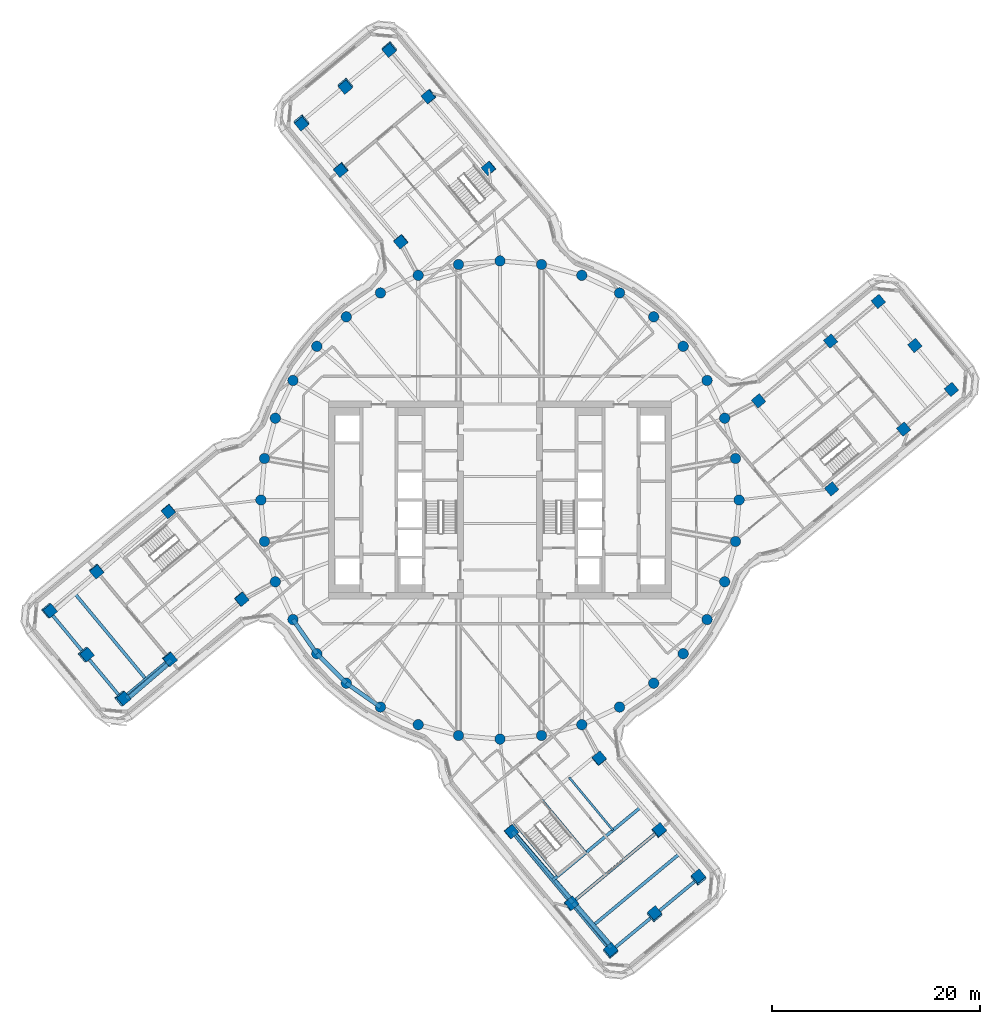
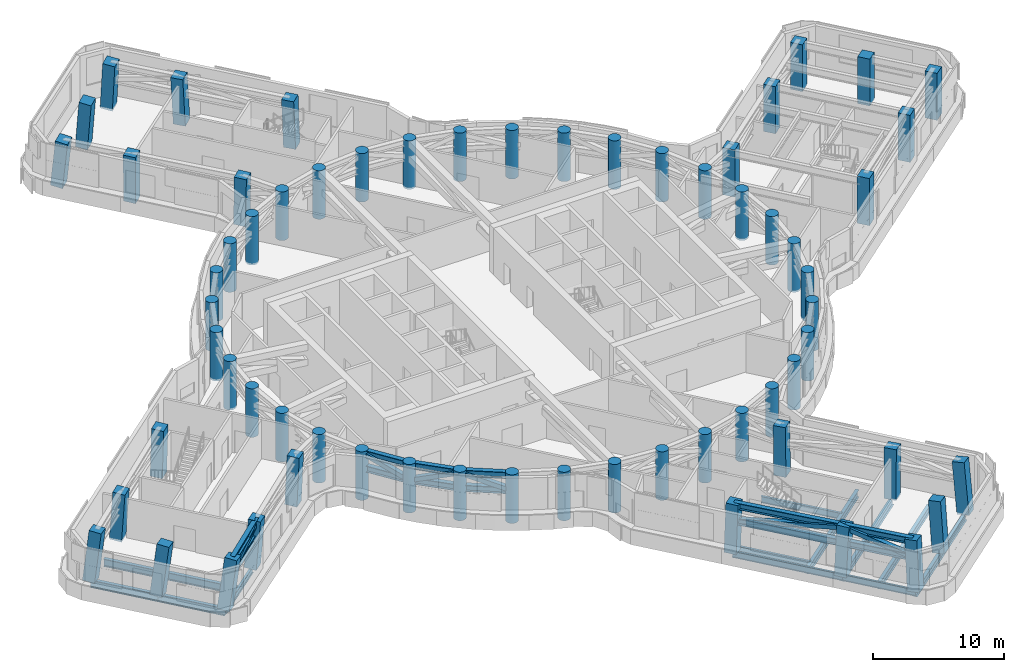
# One storey, part 1 of 22: 64 columns, 18 members, 14 beams.
"""IFC4 building model written with IfcOpenShell, lengths in metres."""

from ifc_helpers import new_model, si_unit, direction, frame, origin, origin_2d, place, context, subcontext, project, spatial, rectangle, hollow_rectangle, circle, i_section, extrude, material, material_profile, profile_set, type_object, element, save


model = new_model("IFC4")

# Units and contexts
model_context = context("Model", 3, precision=1e-05, world=origin(), true_north=direction((0.0, 1.0)))
body_context = subcontext(model_context, "Body", "Model", "MODEL_VIEW")
ifc_project = project(units=[si_unit("LENGTHUNIT", "METRE"), si_unit("AREAUNIT", "SQUARE_METRE"), si_unit("VOLUMEUNIT", "CUBIC_METRE"), si_unit("PLANEANGLEUNIT", "RADIAN"), si_unit("MASSUNIT", "GRAM", prefix="KILO")], contexts=[model_context])

# Site, building, storey
site_placement = place(None, origin())
site = spatial("IfcSite", under=ifc_project, at=site_placement, CompositionType="ELEMENT")
building_placement = place(site_placement, origin())
building = spatial("IfcBuilding", under=site, at=building_placement, Name="Tamarind Cross Interchange Tower", CompositionType="ELEMENT")
storey_placement = place(building_placement, frame((0.0, 0.0, 178.0)))
storey = spatial("IfcBuildingStorey", under=building, at=storey_placement, Name="L44", CompositionType="ELEMENT", Elevation=178.0)

# Columns
ifc_material_1 = material(Name="Concrete C60", Category="concrete")
ifc_material_profile_1 = material_profile(ifc_material_1, rectangle(XDim=1.0, YDim=1.0, at=origin_2d()), Name="RC 1000x1000")
ifc_profile_set_1 = profile_set([ifc_material_profile_1], Name="Concrete C60")
column_type_1 = type_object("IfcColumnType", Name="Column RC 1000x1000 Concrete C60", PredefinedType="COLUMN", material=ifc_profile_set_1)
for number, where, z_axis, x_axis, name in (
    (1, (31.796630859375, 15.28271484375, -0.15087890625), (0.0, 0.0, 1.0), (0.769372797728, 0.638800045488, 0.0), "Column L44-036"),
    (2, (38.823486328125, 6.819580078125, -0.15087890625), (0.0, 0.0, 1.0), (0.769372797728, 0.638800045488, 0.0), "Column L44-037"),
):
    element("IfcColumn", number, at=place(storey_placement, frame(where, z_axis=z_axis, x_axis=x_axis)), inside=storey, type_object=column_type_1, Name=name, PredefinedType="COLUMN", context=body_context, shape_type="SweptSolid", body=[
        extrude(rectangle(XDim=1.0, YDim=1.0, at=origin_2d()), origin(), (0.0, 0.0, 1.0), 4.40087890625),
    ])
for number, where, z_axis, x_axis, name in (
    (3, (24.872314453125, 9.53369140625, -0.162109375), (0.0, 0.0, 1.0), (0.769372797728, 0.638800045488, 0.0), "Column L44-038"),
    (4, (31.899169921875, 1.070556640625, -0.162109375), (0.0, 0.0, 1.0), (0.769372797728, 0.638800045488, 0.0), "Column L44-039"),
):
    element("IfcColumn", number, at=place(storey_placement, frame(where, z_axis=z_axis, x_axis=x_axis)), inside=storey, type_object=column_type_1, Name=name, PredefinedType="COLUMN", context=body_context, shape_type="SweptSolid", body=[
        extrude(rectangle(XDim=1.0, YDim=1.0, at=origin_2d()), origin(), (0.0, 0.0, 1.0), 4.412109375),
    ])
column_1_placement = place(storey_placement, frame((43.41552734375, 10.63232421875, -0.138916015625), z_axis=(0.0, 0.0, 1.0), x_axis=(0.769372797728, 0.638800045488, 0.0)))
element("IfcColumn", 5, at=column_1_placement, inside=storey, type_object=column_type_1, Name="Column L44-040", PredefinedType="COLUMN", context=body_context, shape_type="SweptSolid", body=[
    extrude(rectangle(XDim=1.0, YDim=1.0, at=origin_2d()), origin(), (0.0, 0.0, 1.0), 4.388916015625),
])
column_2_placement = place(storey_placement, frame((39.902099609375, 14.86376953125, -0.13232421875), z_axis=(0.0, 0.0, 1.0), x_axis=(0.769372797728, 0.638800045488, 0.0)))
element("IfcColumn", 6, at=column_2_placement, inside=storey, type_object=column_type_1, Name="Column L44-041", PredefinedType="COLUMN", context=body_context, shape_type="SweptSolid", body=[
    extrude(rectangle(XDim=1.0, YDim=1.0, at=origin_2d()), origin(), (0.0, 0.0, 1.0), 4.38232421875),
])
column_3_placement = place(storey_placement, frame((36.388671875, 19.095458984375, -0.125732421875), z_axis=(0.0, 0.0, 1.0), x_axis=(0.769372797728, 0.638800045488, 0.0)))
element("IfcColumn", 7, at=column_3_placement, inside=storey, type_object=column_type_1, Name="Column L44-042", PredefinedType="COLUMN", context=body_context, shape_type="SweptSolid", body=[
    extrude(rectangle(XDim=1.0, YDim=1.0, at=origin_2d()), origin(), (0.0, 0.0, 1.0), 4.375732421875),
])
for number, where, z_axis, x_axis, name in (
    (8, (-15.282958984375, 31.79638671875, -0.174072265625), (-0.038674153686, -0.06158818633, 0.997352096875), (0.76790010138, 0.636831473848, 0.069102157828), "Column L44-043"),
    (9, (-6.820068359375, 38.823486328125, -0.173583984375), (-0.067128441622, -0.027970184009, 0.997352215184), (0.638503935041, -0.76932096572, 0.02140038878), "Column L44-044"),
):
    element("IfcColumn", number, at=place(storey_placement, frame(where, z_axis=z_axis, x_axis=x_axis)), inside=storey, type_object=column_type_1, Name=name, PredefinedType="COLUMN", context=body_context, shape_type="SweptSolid", body=[
        extrude(rectangle(XDim=1.0, YDim=1.0, at=origin_2d()), origin(), (0.0, 0.0, 1.0), 4.538818359375),
    ])
for number, where, z_axis, x_axis, name in (
    (10, (-9.53369140625, 24.872314453125, -0.176025390625), (-0.011144104547, -0.038385248996, 0.999200871493), (0.768568794431, 0.638909482793, 0.033116174659), "Column L44-045"),
    (11, (-1.070556640625, 31.899169921875, -0.17578125), (-0.039731098054, -0.004683747332, 0.999199430724), (0.638756529485, -0.769100209198, 0.021793674599), "Column L44-046"),
):
    element("IfcColumn", number, at=place(storey_placement, frame(where, z_axis=z_axis, x_axis=x_axis)), inside=storey, type_object=column_type_1, Name=name, PredefinedType="COLUMN", context=body_context, shape_type="SweptSolid", body=[
        extrude(rectangle(XDim=1.0, YDim=1.0, at=origin_2d()), origin(), (0.0, 0.0, 1.0), 4.534912109375),
    ])
column_4_placement = place(storey_placement, frame((-10.632568359375, 43.41357421875, -0.16455078125), z_axis=(-0.019993439638, -0.118616992692, 0.992738772999), x_axis=(0.768334336517, 0.63352217898, 0.091170149001)))
element("IfcColumn", 12, at=column_4_placement, inside=storey, type_object=column_type_1, Name="Column L44-047", PredefinedType="COLUMN", context=body_context, shape_type="SweptSolid", body=[
    extrude(rectangle(XDim=1.0, YDim=1.0, at=origin_2d()), origin(), (0.0, 0.0, 1.0), 4.54248046875),
])
column_5_placement = place(storey_placement, frame((-14.864013671875, 39.900146484375, -0.165771484375), z_axis=(-0.005843151252, -0.13508936839, 0.990816188872), x_axis=(0.769117844865, 0.632625580801, 0.090788849684)))
element("IfcColumn", 13, at=column_5_placement, inside=storey, type_object=column_type_1, Name="Column L44-048", PredefinedType="COLUMN", context=body_context, shape_type="SweptSolid", body=[
    extrude(rectangle(XDim=1.0, YDim=1.0, at=origin_2d()), origin(), (0.0, 0.0, 1.0), 4.55419921875),
])
column_6_placement = place(storey_placement, frame((-19.09521484375, 36.38671875, -0.1669921875), z_axis=(0.008284108998, -0.15146558, 0.98842781811), x_axis=(0.769718165764, 0.631952407933, 0.090388602162)))
element("IfcColumn", 14, at=column_6_placement, inside=storey, type_object=column_type_1, Name="Column L44-049", PredefinedType="COLUMN", context=body_context, shape_type="SweptSolid", body=[
    extrude(rectangle(XDim=1.0, YDim=1.0, at=origin_2d()), origin(), (0.0, 0.0, 1.0), 4.568115234375),
])
for number, where, z_axis, x_axis, name in (
    (15, (-31.79638671875, -15.282958984375, -0.174072265625), (0.06158818633, -0.038674153686, 0.997352096875), (-0.636831473848, 0.76790010138, 0.069102157828), "Column L44-050"),
    (16, (-38.823486328125, -6.820068359375, -0.173583984375), (0.027970184009, -0.067128441622, 0.997352215184), (0.76932096572, 0.638503935041, 0.02140038878), "Column L44-051"),
):
    element("IfcColumn", number, at=place(storey_placement, frame(where, z_axis=z_axis, x_axis=x_axis)), inside=storey, type_object=column_type_1, Name=name, PredefinedType="COLUMN", context=body_context, shape_type="SweptSolid", body=[
        extrude(rectangle(XDim=1.0, YDim=1.0, at=origin_2d()), origin(), (0.0, 0.0, 1.0), 4.538818359375),
    ])
for number, where, z_axis, x_axis, name in (
    (17, (-24.872314453125, -9.53369140625, -0.176025390625), (0.038385248996, -0.011144104547, 0.999200871493), (-0.638909482793, 0.768568794431, 0.033116174659), "Column L44-052"),
    (18, (-31.899169921875, -1.070556640625, -0.17578125), (0.004683747332, -0.039731098054, 0.999199430724), (0.769100209198, 0.638756529485, 0.021793674599), "Column L44-053"),
):
    element("IfcColumn", number, at=place(storey_placement, frame(where, z_axis=z_axis, x_axis=x_axis)), inside=storey, type_object=column_type_1, Name=name, PredefinedType="COLUMN", context=body_context, shape_type="SweptSolid", body=[
        extrude(rectangle(XDim=1.0, YDim=1.0, at=origin_2d()), origin(), (0.0, 0.0, 1.0), 4.534912109375),
    ])
column_7_placement = place(storey_placement, frame((-43.41357421875, -10.632568359375, -0.16455078125), z_axis=(0.118616992692, -0.019993439638, 0.992738772999), x_axis=(-0.63352217898, 0.768334336517, 0.091170149001)))
element("IfcColumn", 19, at=column_7_placement, inside=storey, type_object=column_type_1, Name="Column L44-054", PredefinedType="COLUMN", context=body_context, shape_type="SweptSolid", body=[
    extrude(rectangle(XDim=1.0, YDim=1.0, at=origin_2d()), origin(), (0.0, 0.0, 1.0), 4.54248046875),
])
column_8_placement = place(storey_placement, frame((-39.900146484375, -14.864013671875, -0.165771484375), z_axis=(0.13508936839, -0.005843151252, 0.990816188872), x_axis=(-0.632625580801, 0.769117844865, 0.090788849684)))
element("IfcColumn", 20, at=column_8_placement, inside=storey, type_object=column_type_1, Name="Column L44-055", PredefinedType="COLUMN", context=body_context, shape_type="SweptSolid", body=[
    extrude(rectangle(XDim=1.0, YDim=1.0, at=origin_2d()), origin(), (0.0, 0.0, 1.0), 4.55419921875),
])
column_9_placement = place(storey_placement, frame((-36.38671875, -19.09521484375, -0.1669921875), z_axis=(0.15146558, 0.008284108998, 0.98842781811), x_axis=(-0.631952407933, 0.769718165764, 0.090388602162)))
element("IfcColumn", 21, at=column_9_placement, inside=storey, type_object=column_type_1, Name="Column L44-056", PredefinedType="COLUMN", context=body_context, shape_type="SweptSolid", body=[
    extrude(rectangle(XDim=1.0, YDim=1.0, at=origin_2d()), origin(), (0.0, 0.0, 1.0), 4.568115234375),
])
for number, where, z_axis, x_axis, name in (
    (22, (15.282958984375, -31.79638671875, -0.174072265625), (0.038674153686, 0.06158818633, 0.997352096875), (-0.76790010138, -0.636831473848, 0.069102157828), "Column L44-057"),
    (23, (6.820068359375, -38.823486328125, -0.173583984375), (0.067128441622, 0.027970184009, 0.997352215184), (-0.638503935041, 0.76932096572, 0.02140038878), "Column L44-058"),
):
    element("IfcColumn", number, at=place(storey_placement, frame(where, z_axis=z_axis, x_axis=x_axis)), inside=storey, type_object=column_type_1, Name=name, PredefinedType="COLUMN", context=body_context, shape_type="SweptSolid", body=[
        extrude(rectangle(XDim=1.0, YDim=1.0, at=origin_2d()), origin(), (0.0, 0.0, 1.0), 4.538818359375),
    ])
for number, where, z_axis, x_axis, name in (
    (24, (9.53369140625, -24.872314453125, -0.176025390625), (0.011144104547, 0.038385248996, 0.999200871493), (-0.768568794431, -0.638909482793, 0.033116174659), "Column L44-059"),
    (25, (1.070556640625, -31.899169921875, -0.17578125), (0.039731098054, 0.004683747332, 0.999199430724), (-0.638756529485, 0.769100209198, 0.021793674599), "Column L44-060"),
):
    element("IfcColumn", number, at=place(storey_placement, frame(where, z_axis=z_axis, x_axis=x_axis)), inside=storey, type_object=column_type_1, Name=name, PredefinedType="COLUMN", context=body_context, shape_type="SweptSolid", body=[
        extrude(rectangle(XDim=1.0, YDim=1.0, at=origin_2d()), origin(), (0.0, 0.0, 1.0), 4.534912109375),
    ])
column_10_placement = place(storey_placement, frame((10.632568359375, -43.41357421875, -0.16455078125), z_axis=(0.019993439638, 0.118616992692, 0.992738772999), x_axis=(-0.768334336517, -0.63352217898, 0.091170149001)))
element("IfcColumn", 26, at=column_10_placement, inside=storey, type_object=column_type_1, Name="Column L44-061", PredefinedType="COLUMN", context=body_context, shape_type="SweptSolid", body=[
    extrude(rectangle(XDim=1.0, YDim=1.0, at=origin_2d()), origin(), (0.0, 0.0, 1.0), 4.54248046875),
])
column_11_placement = place(storey_placement, frame((14.864013671875, -39.900146484375, -0.165771484375), z_axis=(0.005843151252, 0.13508936839, 0.990816188872), x_axis=(-0.769117844865, -0.632625580801, 0.090788849684)))
element("IfcColumn", 27, at=column_11_placement, inside=storey, type_object=column_type_1, Name="Column L44-062", PredefinedType="COLUMN", context=body_context, shape_type="SweptSolid", body=[
    extrude(rectangle(XDim=1.0, YDim=1.0, at=origin_2d()), origin(), (0.0, 0.0, 1.0), 4.55419921875),
])
column_12_placement = place(storey_placement, frame((19.09521484375, -36.38671875, -0.1669921875), z_axis=(-0.008284108998, 0.15146558, 0.98842781811), x_axis=(-0.769718165764, -0.631952407933, 0.090388602162)))
element("IfcColumn", 28, at=column_12_placement, inside=storey, type_object=column_type_1, Name="Column L44-063", PredefinedType="COLUMN", context=body_context, shape_type="SweptSolid", body=[
    extrude(rectangle(XDim=1.0, YDim=1.0, at=origin_2d()), origin(), (0.0, 0.0, 1.0), 4.568115234375),
])
ifc_material_profile_2 = material_profile(ifc_material_1, circle(Radius=0.5, at=origin_2d()), Name="RC D1000")
ifc_profile_set_2 = profile_set([ifc_material_profile_2], Name="Concrete C60")
column_type_2 = type_object("IfcColumnType", Name="Column RC D1000 Concrete C60", PredefinedType="COLUMN", material=ifc_profile_set_2)
for number, where, z_axis, x_axis, name in (
    (29, (23.0, 0.0, -0.179931640625), (0.0, 0.0, 1.0), (1.0, 0.0, 0.0), "Column L44-000"),
    (30, (22.650634765625, 3.993896484375, -0.179931640625), (0.0, 0.0, 1.0), (1.0, 0.0, 0.0), "Column L44-001"),
    (31, (21.613037109375, 7.866455078125, -0.179931640625), (0.0, 0.0, 1.0), (1.0, 0.0, 0.0), "Column L44-002"),
    (32, (19.918701171875, 11.5, -0.179931640625), (0.0, 0.0, 1.0), (1.0, 0.0, 0.0), "Column L44-003"),
    (33, (17.619140625, 14.7841796875, -0.179931640625), (0.0, 0.0, 1.0), (1.0, 0.0, 0.0), "Column L44-004"),
    (34, (14.7841796875, 17.619140625, -0.179931640625), (0.0, 0.0, 1.0), (1.0, 0.0, 0.0), "Column L44-005"),
    (35, (11.5, 19.918701171875, -0.179931640625), (0.0, 0.0, 1.0), (1.0, 0.0, 0.0), "Column L44-006"),
    (36, (7.866455078125, 21.613037109375, -0.179931640625), (0.0, 0.0, 1.0), (1.0, 0.0, 0.0), "Column L44-007"),
    (37, (3.993896484375, 22.650634765625, -0.179931640625), (0.0, 0.0, 1.0), (1.0, 0.0, 0.0), "Column L44-008"),
    (38, (0.0, 23.0, -0.179931640625), (0.0, 0.0, 1.0), (1.0, 0.0, 0.0), "Column L44-009"),
    (39, (-3.993896484375, 22.650634765625, -0.179931640625), (0.0, 0.0, 1.0), (1.0, 0.0, 0.0), "Column L44-010"),
    (40, (-7.866455078125, 21.613037109375, -0.179931640625), (0.0, 0.0, 1.0), (1.0, 0.0, 0.0), "Column L44-011"),
    (41, (-11.5, 19.918701171875, -0.179931640625), (0.0, 0.0, 1.0), (1.0, 0.0, 0.0), "Column L44-012"),
    (42, (-14.7841796875, 17.619140625, -0.179931640625), (0.0, 0.0, 1.0), (1.0, 0.0, 0.0), "Column L44-013"),
    (43, (-17.619140625, 14.7841796875, -0.179931640625), (0.0, 0.0, 1.0), (1.0, 0.0, 0.0), "Column L44-014"),
    (44, (-19.918701171875, 11.5, -0.179931640625), (0.0, 0.0, 1.0), (1.0, 0.0, 0.0), "Column L44-015"),
    (45, (-21.613037109375, 7.866455078125, -0.179931640625), (0.0, 0.0, 1.0), (1.0, 0.0, 0.0), "Column L44-016"),
    (46, (-22.650634765625, 3.993896484375, -0.179931640625), (0.0, 0.0, 1.0), (1.0, 0.0, 0.0), "Column L44-017"),
    (47, (-23.0, 0.0, -0.179931640625), (0.0, 0.0, 1.0), (1.0, 0.0, 0.0), "Column L44-018"),
    (48, (-22.650634765625, -3.993896484375, -0.179931640625), (0.0, 0.0, 1.0), (1.0, 0.0, 0.0), "Column L44-019"),
    (49, (-21.613037109375, -7.866455078125, -0.179931640625), (0.0, 0.0, 1.0), (1.0, 0.0, 0.0), "Column L44-020"),
    (50, (-19.918701171875, -11.5, -0.179931640625), (0.0, 0.0, 1.0), (1.0, 0.0, 0.0), "Column L44-021"),
    (51, (-17.619140625, -14.7841796875, -0.179931640625), (0.0, 0.0, 1.0), (1.0, 0.0, 0.0), "Column L44-022"),
    (52, (-14.7841796875, -17.619140625, -0.179931640625), (0.0, 0.0, 1.0), (1.0, 0.0, 0.0), "Column L44-023"),
    (53, (-11.5, -19.918701171875, -0.179931640625), (0.0, 0.0, 1.0), (1.0, 0.0, 0.0), "Column L44-024"),
    (54, (-7.866455078125, -21.613037109375, -0.179931640625), (0.0, 0.0, 1.0), (1.0, 0.0, 0.0), "Column L44-025"),
    (55, (-3.993896484375, -22.650634765625, -0.179931640625), (0.0, 0.0, 1.0), (1.0, 0.0, 0.0), "Column L44-026"),
    (56, (0.0, -23.0, -0.179931640625), (0.0, 0.0, 1.0), (1.0, 0.0, 0.0), "Column L44-027"),
    (57, (3.993896484375, -22.650634765625, -0.179931640625), (0.0, 0.0, 1.0), (1.0, 0.0, 0.0), "Column L44-028"),
    (58, (7.866455078125, -21.613037109375, -0.179931640625), (0.0, 0.0, 1.0), (1.0, 0.0, 0.0), "Column L44-029"),
    (59, (11.5, -19.918701171875, -0.179931640625), (0.0, 0.0, 1.0), (1.0, 0.0, 0.0), "Column L44-030"),
    (60, (14.7841796875, -17.619140625, -0.179931640625), (0.0, 0.0, 1.0), (1.0, 0.0, 0.0), "Column L44-031"),
    (61, (17.619140625, -14.7841796875, -0.179931640625), (0.0, 0.0, 1.0), (1.0, 0.0, 0.0), "Column L44-032"),
    (62, (19.918701171875, -11.5, -0.179931640625), (0.0, 0.0, 1.0), (1.0, 0.0, 0.0), "Column L44-033"),
    (63, (21.613037109375, -7.866455078125, -0.179931640625), (0.0, 0.0, 1.0), (1.0, 0.0, 0.0), "Column L44-034"),
    (64, (22.650634765625, -3.993896484375, -0.179931640625), (0.0, 0.0, 1.0), (1.0, 0.0, 0.0), "Column L44-035"),
):
    element("IfcColumn", number, at=place(storey_placement, frame(where, z_axis=z_axis, x_axis=x_axis)), inside=storey, type_object=column_type_2, Name=name, PredefinedType="COLUMN", context=body_context, shape_type="SweptSolid", body=[
        extrude(circle(Radius=0.5, at=origin_2d()), origin(), (0.0, 0.0, 1.0), 4.5400390625),
    ])

# Beams
ifc_material_2 = material(Name="Steel Q355B", Category="steel")
ifc_material_profile_3 = material_profile(ifc_material_2, i_section(OverallWidth=0.199951171875, OverallDepth=0.60009765625, WebThickness=0.010986328125, FlangeThickness=0.01708984375, FilletRadius=0.012939453125, at=origin_2d()), Name="HN 600x200x11x17")
ifc_profile_set_3 = profile_set([ifc_material_profile_3], Name="Steel Q355B")
beam_type_1 = type_object("IfcBeamType", Name="Composite beam HN 600x200x11x17 Q355B", PredefinedType="BEAM", material=ifc_profile_set_3)
beam_1_placement = place(storey_placement, frame((10.63232421875, -43.41552734375, -0.47998046875), z_axis=(-0.638803347594, 0.769370056022, 0.0), x_axis=(-0.769370056022, -0.638803347594, 0.0)))
element("IfcBeam", 65, at=beam_1_placement, inside=storey, type_object=beam_type_1, Name="Beam S-edgeem5", PredefinedType="BEAM", context=body_context, shape_type="SweptSolid", body=[
    extrude(i_section(OverallWidth=0.199951171875, OverallDepth=0.60009765625, WebThickness=0.010986328125, FlangeThickness=0.01708984375, FilletRadius=0.012939453125, at=origin_2d()), origin(), (0.0, 0.0, 1.0), 5.968505859375),
])
beam_2_placement = place(storey_placement, frame((6.819580078125, -38.823486328125, -0.47998046875), z_axis=(-0.638790523105, 0.769380703937, 0.0), x_axis=(-0.769380703937, -0.638790523105, 0.0)))
element("IfcBeam", 66, at=beam_2_placement, inside=storey, type_object=beam_type_1, Name="Beam S-edgeem6", PredefinedType="BEAM", context=body_context, shape_type="SweptSolid", body=[
    extrude(i_section(OverallWidth=0.199951171875, OverallDepth=0.60009765625, WebThickness=0.010986328125, FlangeThickness=0.01708984375, FilletRadius=0.012939453125, at=origin_2d()), origin(), (0.0, 0.0, 1.0), 8.999755859375),
])
for number, where, z_axis, x_axis, name in (
    (67, (1.360107421875, -31.073974609375, -0.47998046875), (0.63879710552, -0.769375238735, 0.0), (0.769375238735, 0.63879710552, 0.0), "Beam S-tr0"),
    (68, (4.052978515625, -28.838134765625, -0.47998046875), (0.63879710552, -0.769375238735, 0.0), (0.769375238735, 0.63879710552, 0.0), "Beam S-tr1"),
):
    element("IfcBeam", number, at=place(storey_placement, frame(where, z_axis=z_axis, x_axis=x_axis)), inside=storey, type_object=beam_type_1, Name=name, PredefinedType="BEAM", context=body_context, shape_type="SweptSolid", body=[
        extrude(i_section(OverallWidth=0.199951171875, OverallDepth=0.60009765625, WebThickness=0.010986328125, FlangeThickness=0.01708984375, FilletRadius=0.012939453125, at=origin_2d()), origin(), (0.0, 0.0, 1.0), 6.60009765625),
    ])
beam_3_placement = place(storey_placement, frame((-36.388671875, -19.095458984375, -0.47998046875), z_axis=(0.769370056022, 0.638803347594, 0.0), x_axis=(-0.638803347594, 0.769370056022, 0.0)))
element("IfcBeam", 69, at=beam_3_placement, inside=storey, type_object=beam_type_1, Name="Beam W-edgeep2", PredefinedType="BEAM", context=body_context, shape_type="SweptSolid", body=[
    extrude(i_section(OverallWidth=0.199951171875, OverallDepth=0.60009765625, WebThickness=0.010986328125, FlangeThickness=0.01708984375, FilletRadius=0.012939453125, at=origin_2d()), origin(), (0.0, 0.0, 1.0), 5.968505859375),
])
beam_4_placement = place(storey_placement, frame((6.6494140625, -26.68212890625, -0.47998046875), z_axis=(0.63879710552, -0.769375238735, 0.0), x_axis=(0.769375238735, 0.63879710552, 0.0)))
element("IfcBeam", 70, at=beam_4_placement, inside=storey, type_object=beam_type_1, Name="Beam S-stripp", PredefinedType="BEAM", context=body_context, shape_type="SweptSolid", body=[
    extrude(i_section(OverallWidth=0.199951171875, OverallDepth=0.60009765625, WebThickness=0.010986328125, FlangeThickness=0.01708984375, FilletRadius=0.012939453125, at=origin_2d()), origin(), (0.0, 0.0, 1.0), 6.60009765625),
])
ifc_material_profile_4 = material_profile(ifc_material_2, i_section(OverallWidth=0.300048828125, OverallDepth=0.699951171875, WebThickness=0.012939453125, FlangeThickness=0.02392578125, FilletRadius=0.01806640625, at=origin_2d()), Name="HN 700x300x13x24")
ifc_profile_set_4 = profile_set([ifc_material_profile_4], Name="Steel Q355B")
beam_type_2 = type_object("IfcBeamType", Name="Composite beam HN 700x300x13x24 Q355B", PredefinedType="BEAM", material=ifc_profile_set_4)
beam_5_placement = place(storey_placement, frame((10.63232421875, -43.41552734375, -0.530029296875), z_axis=(0.769362545641, 0.638812392933, 0.0), x_axis=(-0.638812392933, 0.769362545641, 0.0)))
element("IfcBeam", 71, at=beam_5_placement, inside=storey, type_object=beam_type_2, Name="Beam S-tip0", PredefinedType="BEAM", context=body_context, shape_type="SweptSolid", body=[
    extrude(i_section(OverallWidth=0.300048828125, OverallDepth=0.699951171875, WebThickness=0.012939453125, FlangeThickness=0.02392578125, FilletRadius=0.01806640625, at=origin_2d()), origin(), (0.0, 0.0, 1.0), 5.5),
])
beam_6_placement = place(storey_placement, frame((14.86376953125, -39.902099609375, -0.530029296875), z_axis=(0.769380659324, 0.638790576838, 0.0), x_axis=(-0.638790576838, 0.769380659324, 0.0)))
element("IfcBeam", 72, at=beam_6_placement, inside=storey, type_object=beam_type_2, Name="Beam S-tip1", PredefinedType="BEAM", context=body_context, shape_type="SweptSolid", body=[
    extrude(i_section(OverallWidth=0.300048828125, OverallDepth=0.699951171875, WebThickness=0.012939453125, FlangeThickness=0.02392578125, FilletRadius=0.01806640625, at=origin_2d()), origin(), (0.0, 0.0, 1.0), 5.500244140625),
])
for number, where, z_axis, x_axis, name in (
    (73, (4.9990234375, -36.630859375, -0.530029296875), (0.769371602715, 0.638801484764, 0.0), (-0.638801484764, 0.769371602715, 0.0), "Beam S-x364"),
    (74, (6.819580078125, -38.823486328125, -0.530029296875), (0.769371602715, 0.638801484764, 0.0), (-0.638801484764, 0.769371602715, 0.0), "Beam S-x393"),
):
    element("IfcBeam", number, at=place(storey_placement, frame(where, z_axis=z_axis, x_axis=x_axis)), inside=storey, type_object=beam_type_2, Name=name, PredefinedType="BEAM", context=body_context, shape_type="SweptSolid", body=[
        extrude(i_section(OverallWidth=0.300048828125, OverallDepth=0.699951171875, WebThickness=0.012939453125, FlangeThickness=0.02392578125, FilletRadius=0.01806640625, at=origin_2d()), origin(), (0.0, 0.0, 1.0), 11.0),
    ])
beam_7_placement = place(storey_placement, frame((-43.41552734375, -10.63232421875, -0.530029296875), z_axis=(0.638812392933, -0.769362545641, 0.0), x_axis=(0.769362545641, 0.638812392933, 0.0)))
element("IfcBeam", 75, at=beam_7_placement, inside=storey, type_object=beam_type_2, Name="Beam W-tip0", PredefinedType="BEAM", context=body_context, shape_type="SweptSolid", body=[
    extrude(i_section(OverallWidth=0.300048828125, OverallDepth=0.699951171875, WebThickness=0.012939453125, FlangeThickness=0.02392578125, FilletRadius=0.01806640625, at=origin_2d()), origin(), (0.0, 0.0, 1.0), 5.5),
])
beam_8_placement = place(storey_placement, frame((-39.902099609375, -14.86376953125, -0.530029296875), z_axis=(0.638790576838, -0.769380659324, 0.0), x_axis=(0.769380659324, 0.638790576838, 0.0)))
element("IfcBeam", 76, at=beam_8_placement, inside=storey, type_object=beam_type_2, Name="Beam W-tip1", PredefinedType="BEAM", context=body_context, shape_type="SweptSolid", body=[
    extrude(i_section(OverallWidth=0.300048828125, OverallDepth=0.699951171875, WebThickness=0.012939453125, FlangeThickness=0.02392578125, FilletRadius=0.01806640625, at=origin_2d()), origin(), (0.0, 0.0, 1.0), 5.500244140625),
])
for number, where, z_axis, x_axis, name in (
    (77, (8.72607421875, -41.119384765625, -0.530029296875), (0.769373453975, 0.638799255102, 0.0), (-0.638799255102, 0.769373453975, 0.0), "Beam S-x423"),
    (78, (-41.119384765625, -8.72607421875, -0.530029296875), (0.638799255102, -0.769373453975, 0.0), (0.769373453975, 0.638799255102, 0.0), "Beam W-x423"),
):
    element("IfcBeam", number, at=place(storey_placement, frame(where, z_axis=z_axis, x_axis=x_axis)), inside=storey, type_object=beam_type_2, Name=name, PredefinedType="BEAM", context=body_context, shape_type="SweptSolid", body=[
        extrude(i_section(OverallWidth=0.300048828125, OverallDepth=0.699951171875, WebThickness=0.012939453125, FlangeThickness=0.02392578125, FilletRadius=0.01806640625, at=origin_2d()), origin(), (0.0, 0.0, 1.0), 10.999755859375),
    ])

# Members
ifc_material_3 = material(Name="Steel Q420B", Category="steel")
ifc_material_profile_5 = material_profile(ifc_material_3, i_section(OverallWidth=0.39990234375, OverallDepth=0.60009765625, WebThickness=0.02490234375, FlangeThickness=0.0400390625, at=origin_2d()), Name="BH 600x400x25x40")
ifc_profile_set_5 = profile_set([ifc_material_profile_5], Name="Steel Q420B")
member_type_1 = type_object("IfcMemberType", Name="Truss chord BH 600x400x25x40 Q420B", PredefinedType="CHORD", material=ifc_profile_set_5)
for number, where, z_axis, x_axis, name in (
    (79, (-19.918701171875, -11.5, 4.06005859375), (0.573568599011, -0.819157531998, 0.0), (0.819157531998, 0.573568599011, 0.0), "Belt truss ring top H21"),
    (80, (-19.918701171875, -11.5, 2.64990234375), (0.573568599011, -0.819157531998, 0.0), (0.819157531998, 0.573568599011, 0.0), "Belt truss ring bottom H21"),
    (81, (-17.619140625, -14.7841796875, 4.06005859375), (0.707106781187, -0.707106781187, 0.0), (0.707106781187, 0.707106781187, 0.0), "Belt truss ring top H22"),
    (82, (-17.619140625, -14.7841796875, 2.64990234375), (0.707106781187, -0.707106781187, 0.0), (0.707106781187, 0.707106781187, 0.0), "Belt truss ring bottom H22"),
    (83, (-14.7841796875, -17.619140625, 4.06005859375), (0.819157531998, -0.573568599011, 0.0), (0.573568599011, 0.819157531998, 0.0), "Belt truss ring top H23"),
    (84, (-14.7841796875, -17.619140625, 2.64990234375), (0.819157531998, -0.573568599011, 0.0), (0.573568599011, 0.819157531998, 0.0), "Belt truss ring bottom H23"),
):
    element("IfcMember", number, at=place(storey_placement, frame(where, z_axis=z_axis, x_axis=x_axis)), inside=storey, type_object=member_type_1, Name=name, PredefinedType="CHORD", context=body_context, shape_type="SweptSolid", body=[
        extrude(i_section(OverallWidth=0.39990234375, OverallDepth=0.60009765625, WebThickness=0.02490234375, FlangeThickness=0.0400390625, at=origin_2d()), origin(), (0.0, 0.0, 1.0), 4.00927734375),
    ])
member_1_placement = place(storey_placement, frame((-35.739013671875, -19.059814453125, 4.06005859375), z_axis=(0.758450779302, 0.651730324119, 0.0), x_axis=(-0.651730324119, 0.758450779302, 0.0)))
element("IfcMember", 85, at=member_1_placement, inside=storey, type_object=member_type_1, Name="Belt truss arm Wep top", PredefinedType="CHORD", context=body_context, shape_type="SweptSolid", body=[
    extrude(i_section(OverallWidth=0.39990234375, OverallDepth=0.60009765625, WebThickness=0.02490234375, FlangeThickness=0.0400390625, at=origin_2d()), origin(), (0.0, 0.0, 1.0), 5.54296875),
])
member_2_placement = place(storey_placement, frame((-35.955078125, -19.07177734375, 2.64990234375), z_axis=(0.762274087663, 0.64725436675, 0.0), x_axis=(-0.64725436675, 0.762274087663, 0.0)))
element("IfcMember", 86, at=member_2_placement, inside=storey, type_object=member_type_1, Name="Belt truss arm Wep bottom", PredefinedType="CHORD", context=body_context, shape_type="SweptSolid", body=[
    extrude(i_section(OverallWidth=0.39990234375, OverallDepth=0.60009765625, WebThickness=0.02490234375, FlangeThickness=0.0400390625, at=origin_2d()), origin(), (0.0, 0.0, 1.0), 5.684326171875),
])
member_3_placement = place(storey_placement, frame((10.7177734375, -42.908935546875, 4.06005859375), z_axis=(-0.651730324119, 0.758450779302, 0.0), x_axis=(-0.758450779302, -0.651730324119, 0.0)))
element("IfcMember", 87, at=member_3_placement, inside=storey, type_object=member_type_1, Name="Belt truss arm Sem top", PredefinedType="CHORD", context=body_context, shape_type="SweptSolid", body=[
    extrude(i_section(OverallWidth=0.39990234375, OverallDepth=0.60009765625, WebThickness=0.02490234375, FlangeThickness=0.0400390625, at=origin_2d()), origin(), (0.0, 0.0, 1.0), 5.54296875),
])
member_4_placement = place(storey_placement, frame((10.689208984375, -43.077392578125, 2.64990234375), z_axis=(-0.647229409188, 0.76229527867, 0.0), x_axis=(-0.76229527867, -0.647229409188, 0.0)))
element("IfcMember", 88, at=member_4_placement, inside=storey, type_object=member_type_1, Name="Belt truss arm Sem bottom", PredefinedType="CHORD", context=body_context, shape_type="SweptSolid", body=[
    extrude(i_section(OverallWidth=0.39990234375, OverallDepth=0.60009765625, WebThickness=0.02490234375, FlangeThickness=0.0400390625, at=origin_2d()), origin(), (0.0, 0.0, 1.0), 5.68408203125),
])
member_5_placement = place(storey_placement, frame((7.105224609375, -38.704833984375, 4.06005859375), z_axis=(-0.651805019531, 0.758386587773, 0.0), x_axis=(-0.758386587773, -0.651805019531, 0.0)))
element("IfcMember", 89, at=member_5_placement, inside=storey, type_object=member_type_1, Name="Belt truss arm Sem top", PredefinedType="CHORD", context=body_context, shape_type="SweptSolid", body=[
    extrude(i_section(OverallWidth=0.39990234375, OverallDepth=0.60009765625, WebThickness=0.02490234375, FlangeThickness=0.0400390625, at=origin_2d()), origin(), (0.0, 0.0, 1.0), 9.0),
])
member_6_placement = place(storey_placement, frame((7.01025390625, -38.744384765625, 2.64990234375), z_axis=(-0.647503519022, 0.762062459943, 0.0), x_axis=(-0.762062459943, -0.647503519022, 0.0)))
element("IfcMember", 90, at=member_6_placement, inside=storey, type_object=member_type_1, Name="Belt truss arm Sem bottom", PredefinedType="CHORD", context=body_context, shape_type="SweptSolid", body=[
    extrude(i_section(OverallWidth=0.39990234375, OverallDepth=0.60009765625, WebThickness=0.02490234375, FlangeThickness=0.0400390625, at=origin_2d()), origin(), (0.0, 0.0, 1.0), 8.999755859375),
])
ifc_material_profile_6 = material_profile(ifc_material_3, hollow_rectangle(XDim=0.39990234375, YDim=0.39990234375, WallThickness=0.02490234375, at=origin_2d()), Name="BOX 400x400x25")
ifc_profile_set_6 = profile_set([ifc_material_profile_6], Name="Steel Q420B")
member_type_2 = type_object("IfcMemberType", Name="Truss diagonal BOX 400x400x25 Q420B", PredefinedType="BRACE", material=ifc_profile_set_6)
for number, where, z_axis, x_axis, name in (
    (91, (-19.918701171875, -11.5, 4.06005859375), (0.541075232991, -0.772751251109, -0.331802797086), (0.819157531998, 0.573568599011, 0.0), "Belt truss ring diagonal H21"),
    (92, (-17.619140625, -14.7841796875, 2.64990234375), (0.667048751873, -0.667048751873, 0.331801032623), (0.707106781187, 0.707106781187, 0.0), "Belt truss ring diagonal H22"),
    (93, (-14.7841796875, -17.619140625, 4.06005859375), (0.772751251109, -0.541075232991, -0.331802797086), (0.573568599011, 0.819157531998, 0.0), "Belt truss ring diagonal H23"),
):
    element("IfcMember", number, at=place(storey_placement, frame(where, z_axis=z_axis, x_axis=x_axis)), inside=storey, type_object=member_type_2, Name=name, PredefinedType="BRACE", context=body_context, shape_type="SweptSolid", body=[
        extrude(hollow_rectangle(XDim=0.39990234375, YDim=0.39990234375, WallThickness=0.02490234375, at=origin_2d()), origin(), (0.0, 0.0, 1.0), 4.25),
    ])
member_7_placement = place(storey_placement, frame((-35.955078125, -19.07177734375, 2.64990234375), z_axis=(0.750762231274, 0.615620882933, 0.239514092673), x_axis=(-0.634077034371, 0.773269884635, 0.0)))
element("IfcMember", 94, at=member_7_placement, inside=storey, type_object=member_type_2, Name="Belt truss arm Wep diagonal", PredefinedType="BRACE", context=body_context, shape_type="SweptSolid", body=[
    extrude(hollow_rectangle(XDim=0.39990234375, YDim=0.39990234375, WallThickness=0.02490234375, at=origin_2d()), origin(), (0.0, 0.0, 1.0), 5.887451171875),
])
member_8_placement = place(storey_placement, frame((10.689208984375, -43.077392578125, 2.64990234375), z_axis=(-0.615075755353, 0.750409181088, 0.242008008373), x_axis=(-0.773399046326, -0.633919486324, 0.0)))
element("IfcMember", 95, at=member_8_placement, inside=storey, type_object=member_type_2, Name="Belt truss arm Sem diagonal", PredefinedType="BRACE", context=body_context, shape_type="SweptSolid", body=[
    extrude(hollow_rectangle(XDim=0.39990234375, YDim=0.39990234375, WallThickness=0.02490234375, at=origin_2d()), origin(), (0.0, 0.0, 1.0), 5.826904296875),
])
member_9_placement = place(storey_placement, frame((7.105224609375, -38.704833984375, 4.06005859375), z_axis=(-0.647883380244, 0.745955264664, -0.154265578543), x_axis=(-0.754992969748, -0.655732884359, 0.0)))
element("IfcMember", 96, at=member_9_placement, inside=storey, type_object=member_type_2, Name="Belt truss arm Sem diagonal", PredefinedType="BRACE", context=body_context, shape_type="SweptSolid", body=[
    extrude(hollow_rectangle(XDim=0.39990234375, YDim=0.39990234375, WallThickness=0.02490234375, at=origin_2d()), origin(), (0.0, 0.0, 1.0), 9.14111328125),
])

save(model, "model.ifc")
